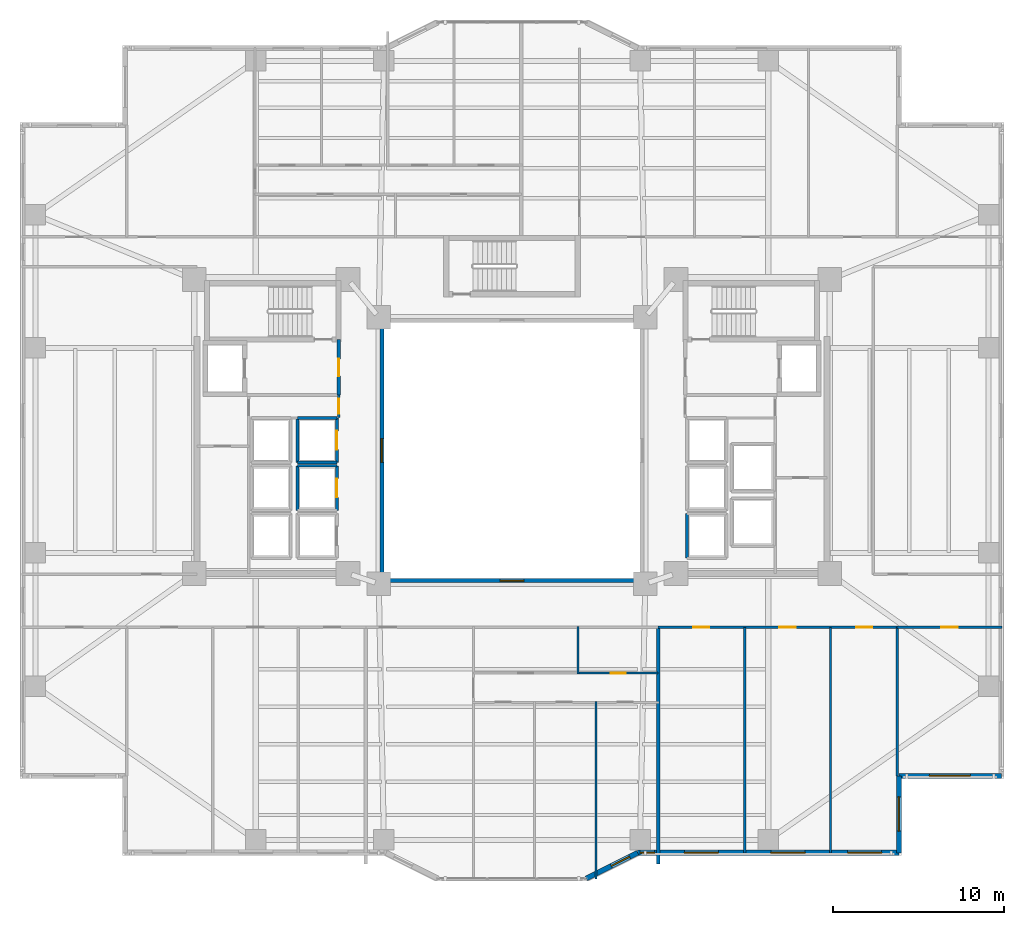
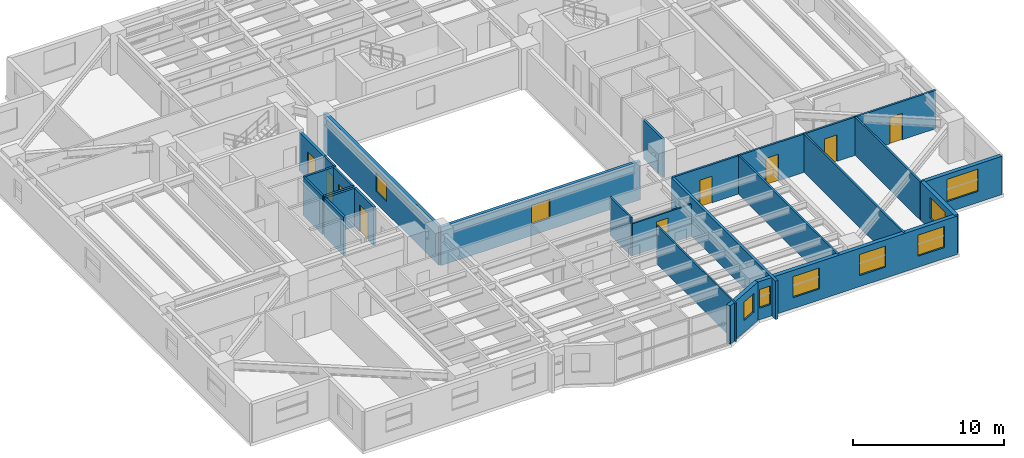
# One storey, part 11 of 19: 25 walls, 9 doors, 9 windows, 18 openings.
"""IFC4 building model written with IfcOpenShell, lengths in metres."""

from ifc_helpers import new_model, si_unit, direction, frame, frame_2d, origin, place, context, subcontext, project, spatial, rectangle, extrude, material, layer, layer_set, type_object, element, fill, save


model = new_model("IFC4")

# Units and contexts
model_context = context("Model", 3, precision=1e-05, world=origin(), true_north=direction((0.0, 1.0)))
body_context = subcontext(model_context, "Body", "Model", "MODEL_VIEW")
ifc_project = project(units=[si_unit("LENGTHUNIT", "METRE"), si_unit("AREAUNIT", "SQUARE_METRE"), si_unit("VOLUMEUNIT", "CUBIC_METRE"), si_unit("PLANEANGLEUNIT", "RADIAN"), si_unit("MASSUNIT", "GRAM", prefix="KILO")], contexts=[model_context])

# Site, building, storey
site_placement = place(None, origin())
site = spatial("IfcSite", under=ifc_project, at=site_placement, CompositionType="ELEMENT")
building_placement = place(site_placement, origin())
building = spatial("IfcBuilding", under=site, at=building_placement, Name="Tarnavaz Court Tower", CompositionType="ELEMENT")
storey_placement = place(building_placement, frame((0.0, 0.0, 50.800048828125)))
storey = spatial("IfcBuildingStorey", under=building, at=storey_placement, Name="L13", CompositionType="ELEMENT", Elevation=50.800048828125)

# Wall, opening, window
ifc_material_1 = material(Name="Precast Concrete C40/50", Category="concrete")
ifc_layer_1 = layer(ifc_material_1, 0.300048828125)
ifc_layer_set_1 = layer_set([ifc_layer_1], Name="Precast Concrete C40/50")
wall_type_1 = type_object("IfcWallType", Name="WL-EXT-300", PredefinedType="SOLIDWALL", material=ifc_layer_set_1)
wall_1_placement = place(storey_placement, frame((28.64990234375, -19.050048828125, 0.0), z_axis=(0.0, 0.0, 1.0), x_axis=(-1.0, 0.0, 0.0)))
wall_1 = element("IfcWall", 1, at=wall_1_placement, inside=storey, type_object=wall_type_1, Name="L13 Exterior Terracotta Facade Wall 13", PredefinedType="SOLIDWALL", context=body_context, shape_type="SweptSolid", body=[
    extrude(rectangle(XDim=6.0, YDim=0.300048828125, at=frame_2d((3.0, 0.0))), origin(), (0.0, 0.0, 1.0), 3.099853515625),
])
opening_1_placement = place(wall_1_placement, frame((1.824951171875, 0.0, 0.89990234375)))
opening_1 = element("IfcOpeningElement", 2, at=opening_1_placement, cuts=wall_1, Name="Opening W06", PredefinedType="OPENING", context=body_context, shape_type="SweptSolid", body=[
    extrude(rectangle(XDim=2.39990234375, YDim=1.800048828125, at=frame_2d((1.199951171875, 0.89990234375))), frame((0.0, 0.159912109375, 0.0), z_axis=(0.0, -1.0, 0.0), x_axis=(1.0, 0.0, 0.0)), (0.0, 0.0, 1.0), 0.320068359375),
])
ifc_material_2 = material(Name="Double-Glazed Solar Low-E Glass", Category="glass")
window_type_1 = type_object("IfcWindowType", Name="WN-APT-2400", PartitioningType="TRIPLE_PANEL_VERTICAL", PredefinedType="WINDOW", material=ifc_material_2)
window_1_placement = place(opening_1_placement, origin())
window_1 = element("IfcWindow", 3, at=window_1_placement, inside=storey, type_object=window_type_1, Name="L13 South-East Corner Reading Room Window", OverallHeight=1.800048828125, OverallWidth=2.39990234375, PartitioningType="SINGLE_PANEL", PredefinedType="WINDOW", context=body_context, shape_type="SweptSolid", body=[
    extrude(rectangle(XDim=2.39990234375, YDim=1.800048828125, at=frame_2d((1.199951171875, 0.89990234375))), frame((0.0, 0.030029296875, 0.0), z_axis=(0.0, -1.0, 0.0), x_axis=(1.0, 0.0, 0.0)), (0.0, 0.0, 1.0), 0.06005859375),
])
fill(opening_1, window_1)

wall_2_placement = place(storey_placement, frame((22.64990234375, -19.050048828125, 0.0), z_axis=(0.0, 0.0, 1.0), x_axis=(0.0, -1.0, 0.0)))
wall_2 = element("IfcWall", 4, at=wall_2_placement, inside=storey, type_object=wall_type_1, Name="L13 Exterior Terracotta Facade Wall 14", PredefinedType="SOLIDWALL", context=body_context, shape_type="SweptSolid", body=[
    extrude(rectangle(XDim=4.5, YDim=0.300048828125, at=frame_2d((2.25, 0.0))), origin(), (0.0, 0.0, 1.0), 3.099853515625),
])
opening_2_placement = place(wall_2_placement, frame((1.232421875, 0.0, 0.89990234375)))
opening_2 = element("IfcOpeningElement", 5, at=opening_2_placement, cuts=wall_2, Name="Opening W08", PredefinedType="OPENING", context=body_context, shape_type="SweptSolid", body=[
    extrude(rectangle(XDim=2.0, YDim=1.699951171875, at=frame_2d((1.0, 0.85009765625))), frame((0.0, 0.159912109375, 0.0), z_axis=(0.0, -1.0, 0.0), x_axis=(1.0, 0.0, 0.0)), (0.0, 0.0, 1.0), 0.320068359375),
])
window_type_2 = type_object("IfcWindowType", Name="WN-APT-2000", PartitioningType="DOUBLE_PANEL_VERTICAL", PredefinedType="WINDOW", material=ifc_material_2)
window_2_placement = place(opening_2_placement, origin())
window_2 = element("IfcWindow", 6, at=window_2_placement, inside=storey, type_object=window_type_2, Name="L13 Resident Focus Seminar Room Window", OverallHeight=1.699951171875, OverallWidth=2.0, PartitioningType="SINGLE_PANEL", PredefinedType="WINDOW", context=body_context, shape_type="SweptSolid", body=[
    extrude(rectangle(XDim=2.0, YDim=1.699951171875, at=frame_2d((1.0, 0.85009765625))), frame((0.0, 0.030029296875, 0.0), z_axis=(0.0, -1.0, 0.0), x_axis=(1.0, 0.0, 0.0)), (0.0, 0.0, 1.0), 0.06005859375),
])
fill(opening_2, window_2)

# Wall, openings, windows
wall_3_placement = place(storey_placement, frame((22.64990234375, -23.550048828125, 0.0), z_axis=(0.0, 0.0, 1.0), x_axis=(-1.0, 0.0, 0.0)))
wall_3 = element("IfcWall", 7, at=wall_3_placement, inside=storey, type_object=wall_type_1, Name="L13 Exterior Terracotta Facade Wall 15", PredefinedType="SOLIDWALL", context=body_context, shape_type="SweptSolid", body=[
    extrude(rectangle(XDim=15.2998046875, YDim=0.300048828125, at=frame_2d((7.64990234375, 0.0))), origin(), (0.0, 0.0, 1.0), 3.099853515625),
])
opening_3_placement = place(wall_3_placement, frame((1.006591796875, 0.0, 0.89990234375)))
opening_3 = element("IfcOpeningElement", 8, at=opening_3_placement, cuts=wall_3, Name="Opening W08", PredefinedType="OPENING", context=body_context, shape_type="SweptSolid", body=[
    extrude(rectangle(XDim=2.0, YDim=1.699951171875, at=frame_2d((1.0, 0.85009765625))), frame((0.0, 0.159912109375, 0.0), z_axis=(0.0, -1.0, 0.0), x_axis=(1.0, 0.0, 0.0)), (0.0, 0.0, 1.0), 0.320068359375),
])
opening_4_placement = place(wall_3_placement, frame((5.49609375, 0.0, 0.89990234375)))
opening_4 = element("IfcOpeningElement", 9, at=opening_4_placement, cuts=wall_3, Name="Opening W08", PredefinedType="OPENING", context=body_context, shape_type="SweptSolid", body=[
    extrude(rectangle(XDim=2.0, YDim=1.699951171875, at=frame_2d((1.0, 0.85009765625))), frame((0.0, 0.159912109375, 0.0), z_axis=(0.0, -1.0, 0.0), x_axis=(1.0, 0.0, 0.0)), (0.0, 0.0, 1.0), 0.320068359375),
])
opening_5_placement = place(wall_3_placement, frame((10.562744140625, 0.0, 0.89990234375)))
opening_5 = element("IfcOpeningElement", 10, at=opening_5_placement, cuts=wall_3, Name="Opening W08", PredefinedType="OPENING", context=body_context, shape_type="SweptSolid", body=[
    extrude(rectangle(XDim=2.0, YDim=1.699951171875, at=frame_2d((1.0, 0.85009765625))), frame((0.0, 0.159912109375, 0.0), z_axis=(0.0, -1.0, 0.0), x_axis=(1.0, 0.0, 0.0)), (0.0, 0.0, 1.0), 0.320068359375),
])
opening_6_placement = place(wall_3_placement, frame((14.30322265625, 0.0, 0.949951171875)))
opening_6 = element("IfcOpeningElement", 11, at=opening_6_placement, cuts=wall_3, Name="Opening W15", PredefinedType="OPENING", context=body_context, shape_type="SweptSolid", body=[
    extrude(rectangle(XDim=0.85009765625, YDim=1.5, at=frame_2d((0.425048828125, 0.75))), frame((0.0, 0.159912109375, 0.0), z_axis=(0.0, -1.0, 0.0), x_axis=(1.0, 0.0, 0.0)), (0.0, 0.0, 1.0), 0.320068359375),
])
window_3_placement = place(opening_3_placement, origin())
window_3 = element("IfcWindow", 12, at=window_3_placement, inside=storey, type_object=window_type_2, Name="L13 Resident Focus Seminar Room Window", OverallHeight=1.699951171875, OverallWidth=2.0, PartitioningType="SINGLE_PANEL", PredefinedType="WINDOW", context=body_context, shape_type="SweptSolid", body=[
    extrude(rectangle(XDim=2.0, YDim=1.699951171875, at=frame_2d((1.0, 0.85009765625))), frame((0.0, 0.030029296875, 0.0), z_axis=(0.0, -1.0, 0.0), x_axis=(1.0, 0.0, 0.0)), (0.0, 0.0, 1.0), 0.06005859375),
])
fill(opening_3, window_3)
window_4_placement = place(opening_4_placement, origin())
window_4 = element("IfcWindow", 13, at=window_4_placement, inside=storey, type_object=window_type_2, Name="L13 Quiet Reading Library Room Window", OverallHeight=1.699951171875, OverallWidth=2.0, PartitioningType="SINGLE_PANEL", PredefinedType="WINDOW", context=body_context, shape_type="SweptSolid", body=[
    extrude(rectangle(XDim=2.0, YDim=1.699951171875, at=frame_2d((1.0, 0.85009765625))), frame((0.0, 0.030029296875, 0.0), z_axis=(0.0, -1.0, 0.0), x_axis=(1.0, 0.0, 0.0)), (0.0, 0.0, 1.0), 0.06005859375),
])
fill(opening_4, window_4)
window_5_placement = place(opening_5_placement, origin())
window_5 = element("IfcWindow", 14, at=window_5_placement, inside=storey, type_object=window_type_2, Name="L13 Resident Co-Working Study Room Window", OverallHeight=1.699951171875, OverallWidth=2.0, PartitioningType="SINGLE_PANEL", PredefinedType="WINDOW", context=body_context, shape_type="SweptSolid", body=[
    extrude(rectangle(XDim=2.0, YDim=1.699951171875, at=frame_2d((1.0, 0.85009765625))), frame((0.0, 0.030029296875, 0.0), z_axis=(0.0, -1.0, 0.0), x_axis=(1.0, 0.0, 0.0)), (0.0, 0.0, 1.0), 0.06005859375),
])
fill(opening_5, window_5)
window_type_3 = type_object("IfcWindowType", Name="WN-APT-850", PartitioningType="SINGLE_PANEL", PredefinedType="WINDOW", material=ifc_material_2)
window_6_placement = place(opening_6_placement, origin())
window_6 = element("IfcWindow", 15, at=window_6_placement, inside=storey, type_object=window_type_3, Name="L13 Flat 02 Bedroom 3 Window", OverallHeight=1.5, OverallWidth=0.85009765625, PartitioningType="SINGLE_PANEL", PredefinedType="WINDOW", context=body_context, shape_type="SweptSolid", body=[
    extrude(rectangle(XDim=0.85009765625, YDim=1.5, at=frame_2d((0.425048828125, 0.75))), frame((0.0, 0.030029296875, 0.0), z_axis=(0.0, -1.0, 0.0), x_axis=(1.0, 0.0, 0.0)), (0.0, 0.0, 1.0), 0.06005859375),
])
fill(opening_6, window_6)

# Wall, opening, window
wall_4_placement = place(storey_placement, frame((7.35009765625, -23.550048828125, 0.0), z_axis=(0.0, 0.0, 1.0), x_axis=(-0.894427191, -0.4472135955, 0.0)))
wall_4 = element("IfcWall", 16, at=wall_4_placement, inside=storey, type_object=wall_type_1, Name="L13 Exterior Terracotta Facade Wall 16", PredefinedType="SOLIDWALL", context=body_context, shape_type="SweptSolid", body=[
    extrude(rectangle(XDim=3.35400390625, YDim=0.300048828125, at=frame_2d((1.677001953125, 0.0))), origin(), (0.0, 0.0, 1.0), 3.099853515625),
])
opening_7_placement = place(wall_4_placement, frame((0.521240234375, 0.0, 0.949951171875)))
opening_7 = element("IfcOpeningElement", 17, at=opening_7_placement, cuts=wall_4, Name="Opening W05", PredefinedType="OPENING", context=body_context, shape_type="SweptSolid", body=[
    extrude(rectangle(XDim=1.199951171875, YDim=1.5, at=frame_2d((0.60009765625, 0.75))), frame((0.0, 0.159912109375, 0.0), z_axis=(0.0, -1.0, 0.0), x_axis=(1.0, 0.0, 0.0)), (0.0, 0.0, 1.0), 0.320068359375),
])
window_type_4 = type_object("IfcWindowType", Name="WN-APT-1200", PartitioningType="SINGLE_PANEL", PredefinedType="WINDOW", material=ifc_material_2)
window_7_placement = place(opening_7_placement, origin())
window_7 = element("IfcWindow", 18, at=window_7_placement, inside=storey, type_object=window_type_4, Name="L13 Flat 02 Bedroom 3 Window", OverallHeight=1.5, OverallWidth=1.199951171875, PartitioningType="SINGLE_PANEL", PredefinedType="WINDOW", context=body_context, shape_type="SweptSolid", body=[
    extrude(rectangle(XDim=1.199951171875, YDim=1.5, at=frame_2d((0.60009765625, 0.75))), frame((0.0, 0.030029296875, 0.0), z_axis=(0.0, -1.0, 0.0), x_axis=(1.0, 0.0, 0.0)), (0.0, 0.0, 1.0), 0.06005859375),
])
fill(opening_7, window_7)

# Wall, openings, doors
ifc_material_3 = material(Name="Gypsum Fire-Board on Acoustic Metal Stud", Category="masonry")
ifc_layer_2 = layer(ifc_material_3, 0.14990234375)
ifc_layer_set_2 = layer_set([ifc_layer_2], Name="Gypsum Fire-Board on Acoustic Metal Stud")
wall_type_2 = type_object("IfcWallType", Name="WL-FIRE-150", PredefinedType="PARTITIONING", material=ifc_layer_set_2)
wall_5_placement = place(storey_placement, frame((8.550048828125, -10.35009765625, 0.0), z_axis=(0.0, 0.0, 1.0), x_axis=(1.0, 0.0, 0.0)))
wall_5 = element("IfcWall", 19, at=wall_5_placement, inside=storey, type_object=wall_type_2, Name="L13 SE Corridor Wall 086", PredefinedType="PARTITIONING", context=body_context, shape_type="SweptSolid", body=[
    extrude(rectangle(XDim=14.0, YDim=0.14990234375, at=frame_2d((7.0, 0.0))), origin(), (0.0, 0.0, 1.0), 3.099853515625),
])
opening_8_placement = place(wall_5_placement, frame((2.055908203125, 0.0, 0.0)))
opening_8 = element("IfcOpeningElement", 20, at=opening_8_placement, cuts=wall_5, Name="Opening D13", PredefinedType="OPENING", context=body_context, shape_type="SweptSolid", body=[
    extrude(rectangle(XDim=0.949951171875, YDim=2.14990234375, at=frame_2d((0.47509765625, 1.074951171875))), frame((0.0, 0.0849609375, 0.0), z_axis=(0.0, -1.0, 0.0), x_axis=(1.0, 0.0, 0.0)), (0.0, 0.0, 1.0), 0.169921875),
])
opening_9_placement = place(wall_5_placement, frame((7.10791015625, 0.0, 0.0)))
opening_9 = element("IfcOpeningElement", 21, at=opening_9_placement, cuts=wall_5, Name="Opening D13", PredefinedType="OPENING", context=body_context, shape_type="SweptSolid", body=[
    extrude(rectangle(XDim=0.949951171875, YDim=2.14990234375, at=frame_2d((0.47509765625, 1.074951171875))), frame((0.0, 0.0849609375, 0.0), z_axis=(0.0, -1.0, 0.0), x_axis=(1.0, 0.0, 0.0)), (0.0, 0.0, 1.0), 0.169921875),
])
opening_10_placement = place(wall_5_placement, frame((11.60205078125, 0.0, 0.0)))
opening_10 = element("IfcOpeningElement", 22, at=opening_10_placement, cuts=wall_5, Name="Opening D13", PredefinedType="OPENING", context=body_context, shape_type="SweptSolid", body=[
    extrude(rectangle(XDim=0.949951171875, YDim=2.14990234375, at=frame_2d((0.47509765625, 1.074951171875))), frame((0.0, 0.0849609375, 0.0), z_axis=(0.0, -1.0, 0.0), x_axis=(1.0, 0.0, 0.0)), (0.0, 0.0, 1.0), 0.169921875),
])
ifc_material_4 = material(Name="Engineered Oak Timber", Category="wood")
door_type_1 = type_object("IfcDoorType", Name="DR-INT-950", OperationType="NOTDEFINED", PredefinedType="DOOR", material=ifc_material_4)
door_1_placement = place(opening_8_placement, origin())
door_1 = element("IfcDoor", 23, at=door_1_placement, inside=storey, type_object=door_type_1, Name="L13 Resident Co-Working Study Room Door", OperationType="SINGLE_SWING_RIGHT", OverallHeight=2.14990234375, OverallWidth=0.949951171875, PredefinedType="DOOR", context=body_context, shape_type="SweptSolid", body=[
    extrude(rectangle(XDim=0.949951171875, YDim=2.14990234375, at=frame_2d((0.47509765625, 1.074951171875))), frame((0.0, 0.02490234375, 0.0), z_axis=(0.0, -1.0, 0.0), x_axis=(1.0, 0.0, 0.0)), (0.0, 0.0, 1.0), 0.050048828125),
])
fill(opening_8, door_1)
door_2_placement = place(opening_9_placement, origin())
door_2 = element("IfcDoor", 24, at=door_2_placement, inside=storey, type_object=door_type_1, Name="L13 Quiet Reading Library Room Door", OperationType="SINGLE_SWING_LEFT", OverallHeight=2.14990234375, OverallWidth=0.949951171875, PredefinedType="DOOR", context=body_context, shape_type="SweptSolid", body=[
    extrude(rectangle(XDim=0.949951171875, YDim=2.14990234375, at=frame_2d((0.47509765625, 1.074951171875))), frame((0.0, 0.02490234375, 0.0), z_axis=(0.0, -1.0, 0.0), x_axis=(1.0, 0.0, 0.0)), (0.0, 0.0, 1.0), 0.050048828125),
])
fill(opening_9, door_2)
door_3_placement = place(opening_10_placement, origin())
door_3 = element("IfcDoor", 25, at=door_3_placement, inside=storey, type_object=door_type_1, Name="L13 Resident Focus Seminar Room Door", OperationType="SINGLE_SWING_RIGHT", OverallHeight=2.14990234375, OverallWidth=0.949951171875, PredefinedType="DOOR", context=body_context, shape_type="SweptSolid", body=[
    extrude(rectangle(XDim=0.949951171875, YDim=2.14990234375, at=frame_2d((0.47509765625, 1.074951171875))), frame((0.0, 0.02490234375, 0.0), z_axis=(0.0, -1.0, 0.0), x_axis=(1.0, 0.0, 0.0)), (0.0, 0.0, 1.0), 0.050048828125),
])
fill(opening_10, door_3)

# Wall, opening, door
wall_6_placement = place(storey_placement, frame((22.550048828125, -10.35009765625, 0.0), z_axis=(0.0, 0.0, 1.0), x_axis=(1.0, 0.0, 0.0)))
wall_6 = element("IfcWall", 26, at=wall_6_placement, inside=storey, type_object=wall_type_2, Name="L13 Interior Partition 123", PredefinedType="PARTITIONING", context=body_context, shape_type="SweptSolid", body=[
    extrude(rectangle(XDim=6.1298828125, YDim=0.14990234375, at=frame_2d((3.06494140625, 0.0))), origin(), (0.0, 0.0, 1.0), 3.099853515625),
])
opening_11_placement = place(wall_6_placement, frame((2.590087890625, 0.0, 0.0)))
opening_11 = element("IfcOpeningElement", 27, at=opening_11_placement, cuts=wall_6, Name="Opening D13", PredefinedType="OPENING", context=body_context, shape_type="SweptSolid", body=[
    extrude(rectangle(XDim=0.949951171875, YDim=2.14990234375, at=frame_2d((0.47509765625, 1.074951171875))), frame((0.0, 0.0849609375, 0.0), z_axis=(0.0, -1.0, 0.0), x_axis=(1.0, 0.0, 0.0)), (0.0, 0.0, 1.0), 0.169921875),
])
door_4_placement = place(opening_11_placement, origin())
door_4 = element("IfcDoor", 28, at=door_4_placement, inside=storey, type_object=door_type_1, Name="L13 SE Reading Room Door", OperationType="SINGLE_SWING_LEFT", OverallHeight=2.14990234375, OverallWidth=0.949951171875, PredefinedType="DOOR", context=body_context, shape_type="SweptSolid", body=[
    extrude(rectangle(XDim=0.949951171875, YDim=2.14990234375, at=frame_2d((0.47509765625, 1.074951171875))), frame((0.0, 0.02490234375, 0.0), z_axis=(0.0, -1.0, 0.0), x_axis=(1.0, 0.0, 0.0)), (0.0, 0.0, 1.0), 0.050048828125),
])
fill(opening_11, door_4)

ifc_material_5 = material(Name="Autoclaved Aerated Concrete Blockwork", Category="masonry")
ifc_layer_3 = layer(ifc_material_5, 0.199951171875)
ifc_layer_set_3 = layer_set([ifc_layer_3], Name="Autoclaved Aerated Concrete Blockwork")
wall_type_3 = type_object("IfcWallType", Name="WL-FIRE-200", PredefinedType="SOLIDWALL", material=ifc_layer_set_3)
wall_7_placement = place(storey_placement, frame((-10.14990234375, 3.25, 0.0), z_axis=(0.0, 0.0, 1.0), x_axis=(0.0, 1.0, 0.0)))
wall_7 = element("IfcWall", 29, at=wall_7_placement, inside=storey, type_object=wall_type_3, Name="L13 West Firefighting Lobby Wall 014", PredefinedType="SOLIDWALL", context=body_context, shape_type="SweptSolid", body=[
    extrude(rectangle(XDim=3.25, YDim=0.199951171875, at=frame_2d((1.625, 0.0))), origin(), (0.0, 0.0, 1.0), 3.099853515625),
])
opening_12_placement = place(wall_7_placement, frame((1.10009765625, 0.0, 0.0)))
opening_12 = element("IfcOpeningElement", 30, at=opening_12_placement, cuts=wall_7, Name="Opening D05", PredefinedType="OPENING", context=body_context, shape_type="SweptSolid", body=[
    extrude(rectangle(XDim=1.02001953125, YDim=2.14990234375, at=frame_2d((0.510009765625, 1.074951171875))), frame((0.0, 0.10986328125, 0.0), z_axis=(0.0, -1.0, 0.0), x_axis=(1.0, 0.0, 0.0)), (0.0, 0.0, 1.0), 0.219970703125),
])
ifc_material_6 = material(Name="Fire-Rated Hardwood Timber Core", Category="wood")
door_type_2 = type_object("IfcDoorType", Name="DR-FD60-1000", OperationType="NOTDEFINED", PredefinedType="DOOR", material=ifc_material_6)
door_5_placement = place(opening_12_placement, origin())
door_5 = element("IfcDoor", 31, at=door_5_placement, inside=storey, type_object=door_type_2, Name="L13 West Firefighting Lobby Door", OperationType="SINGLE_SWING_RIGHT", OverallHeight=2.14990234375, OverallWidth=1.02001953125, PredefinedType="DOOR", context=body_context, shape_type="SweptSolid", body=[
    extrude(rectangle(XDim=1.02001953125, YDim=2.14990234375, at=frame_2d((0.510009765625, 1.074951171875))), frame((0.0, 0.02490234375, 0.0), z_axis=(0.0, -1.0, 0.0), x_axis=(1.0, 0.0, 0.0)), (0.0, 0.0, 1.0), 0.050048828125),
])
fill(opening_12, door_5)

# Wall
wall_8_placement = place(storey_placement, frame((8.550048828125, -24.2041015625, 0.0), z_axis=(0.0, 0.0, 1.0), x_axis=(0.0, 1.0, 0.0)))
element("IfcWall", 32, at=wall_8_placement, inside=storey, type_object=wall_type_3, Name="L13 Party Wall 104", PredefinedType="SOLIDWALL", context=body_context, shape_type="SweptSolid", body=[
    extrude(rectangle(XDim=13.85400390625, YDim=0.199951171875, at=frame_2d((6.927001953125, 0.0))), origin(), (0.0, 0.0, 1.0), 3.099853515625),
])

# Wall, opening, door
ifc_material_7 = material(Name="Moisture-Resistant Gypsum Board Partition", Category="masonry")
ifc_layer_4 = layer(ifc_material_7, 0.1201171875)
ifc_layer_set_4 = layer_set([ifc_layer_4], Name="Moisture-Resistant Gypsum Board Partition")
wall_type_4 = type_object("IfcWallType", Name="WL-PART-120", PredefinedType="PARTITIONING", material=ifc_layer_set_4)
wall_9_placement = place(storey_placement, frame((3.8720703125, -13.030029296875, 0.0), z_axis=(0.0, 0.0, 1.0), x_axis=(1.0, 0.0, 0.0)))
wall_9 = element("IfcWall", 33, at=wall_9_placement, inside=storey, type_object=wall_type_4, Name="L13 Interior Partition 107", PredefinedType="PARTITIONING", context=body_context, shape_type="SweptSolid", body=[
    extrude(rectangle(XDim=4.677978515625, YDim=0.1201171875, at=frame_2d((2.3388671875, 0.0))), origin(), (0.0, 0.0, 1.0), 2.5849609375),
])
opening_13_placement = place(wall_9_placement, frame((1.89892578125, 0.0, 0.0)))
opening_13 = element("IfcOpeningElement", 34, at=opening_13_placement, cuts=wall_9, Name="Opening D14", PredefinedType="OPENING", context=body_context, shape_type="SweptSolid", body=[
    extrude(rectangle(XDim=0.8798828125, YDim=2.10009765625, at=frame_2d((0.43994140625, 1.050048828125))), frame((0.0, 0.070068359375, 0.0), z_axis=(0.0, -1.0, 0.0), x_axis=(1.0, 0.0, 0.0)), (0.0, 0.0, 1.0), 0.14013671875),
])
door_type_3 = type_object("IfcDoorType", Name="DR-INT-900", OperationType="NOTDEFINED", PredefinedType="DOOR", material=ifc_material_4)
door_6_placement = place(opening_13_placement, origin())
door_6 = element("IfcDoor", 35, at=door_6_placement, inside=storey, type_object=door_type_3, Name="L13 Flat 02 Bathroom Door", OperationType="SINGLE_SWING_RIGHT", OverallHeight=2.10009765625, OverallWidth=0.8798828125, PredefinedType="DOOR", context=body_context, shape_type="SweptSolid", body=[
    extrude(rectangle(XDim=0.8798828125, YDim=2.10009765625, at=frame_2d((0.43994140625, 1.050048828125))), frame((0.0, 0.02490234375, 0.0), z_axis=(0.0, -1.0, 0.0), x_axis=(1.0, 0.0, 0.0)), (0.0, 0.0, 1.0), 0.050048828125),
])
fill(opening_13, door_6)

# Walls
wall_10_placement = place(storey_placement, frame((3.8720703125, -13.090087890625, 0.0), z_axis=(0.0, 0.0, 1.0), x_axis=(0.0, 1.0, 0.0)))
element("IfcWall", 36, at=wall_10_placement, inside=storey, type_object=wall_type_4, Name="L13 Interior Partition 109", PredefinedType="PARTITIONING", context=body_context, shape_type="SweptSolid", body=[
    extrude(rectangle(XDim=2.800048828125, YDim=0.1201171875, at=frame_2d((1.39990234375, 0.0))), origin(), (0.0, 0.0, 1.0), 3.099853515625),
])
wall_11_placement = place(storey_placement, frame((4.909912109375, -25.080078125, 0.0), z_axis=(0.0, 0.0, 1.0), x_axis=(0.0, 1.0, 0.0)))
element("IfcWall", 37, at=wall_11_placement, inside=storey, type_object=wall_type_4, Name="L13 Interior Partition 111", PredefinedType="PARTITIONING", context=body_context, shape_type="SweptSolid", body=[
    extrude(rectangle(XDim=10.400146484375, YDim=0.1201171875, at=frame_2d((5.2001953125, 0.0))), origin(), (0.0, 0.0, 1.0), 3.099853515625),
])

# Wall, opening, door
ifc_material_8 = material(Name="Gypsum Plasterboard Acoustic Partition", Category="masonry")
ifc_layer_5 = layer(ifc_material_8, 0.139892578125)
ifc_layer_set_5 = layer_set([ifc_layer_5], Name="Gypsum Plasterboard Acoustic Partition")
wall_type_5 = type_object("IfcWallType", Name="WL-PART-150", PredefinedType="PARTITIONING", material=ifc_layer_set_5)
wall_12_placement = place(storey_placement, frame((-10.14990234375, 1.919921875, 0.0), z_axis=(0.0, 0.0, 1.0), x_axis=(0.0, 1.0, 0.0)))
wall_12 = element("IfcWall", 38, at=wall_12_placement, inside=storey, type_object=wall_type_5, Name="L13 Interior Partition 074", PredefinedType="PARTITIONING", context=body_context, shape_type="SweptSolid", body=[
    extrude(rectangle(XDim=1.330078125, YDim=0.139892578125, at=frame_2d((0.6650390625, 0.0))), origin(), (0.0, 0.0, 1.0), 3.099853515625),
])
opening_14_placement = place(wall_12_placement, frame((0.219970703125, 0.0, 0.0)))
opening_14 = element("IfcOpeningElement", 39, at=opening_14_placement, cuts=wall_12, Name="Opening D09", PredefinedType="OPENING", context=body_context, shape_type="SweptSolid", body=[
    extrude(rectangle(XDim=0.89990234375, YDim=2.080078125, at=frame_2d((0.449951171875, 1.0400390625))), frame((0.0, 0.079833984375, 0.0), z_axis=(0.0, -1.0, 0.0), x_axis=(1.0, 0.0, 0.0)), (0.0, 0.0, 1.0), 0.159912109375),
])
door_type_4 = type_object("IfcDoorType", Name="DR-FD30-900", OperationType="NOTDEFINED", PredefinedType="DOOR", material=ifc_material_6)
door_7_placement = place(opening_14_placement, origin())
door_7 = element("IfcDoor", 40, at=door_7_placement, inside=storey, type_object=door_type_4, Name="L13 West Core Service Lobby Door", OperationType="SINGLE_SWING_LEFT", OverallHeight=2.080078125, OverallWidth=0.89990234375, PredefinedType="DOOR", context=body_context, shape_type="SweptSolid", body=[
    extrude(rectangle(XDim=0.89990234375, YDim=2.080078125, at=frame_2d((0.449951171875, 1.0400390625))), frame((0.0, 0.02490234375, 0.0), z_axis=(0.0, -1.0, 0.0), x_axis=(1.0, 0.0, 0.0)), (0.0, 0.0, 1.0), 0.050048828125),
])
fill(opening_14, door_7)

# Walls
for number, where, z_axis, x_axis, name in (
    (41, (13.6220703125, -23.550048828125, 0.0), (0.0, 0.0, 1.0), (0.0, 1.0, 0.0), "L13 Interior Partition 101"),
    (42, (18.64404296875, -23.550048828125, 0.0), (0.0, 0.0, 1.0), (0.0, 1.0, 0.0), "L13 Interior Partition 102"),
):
    element("IfcWall", number, at=place(storey_placement, frame(where, z_axis=z_axis, x_axis=x_axis)), inside=storey, type_object=wall_type_5, Name=name, PredefinedType="PARTITIONING", context=body_context, shape_type="SweptSolid", body=[
        extrude(rectangle(XDim=13.199951171875, YDim=0.139892578125, at=frame_2d((6.60009765625, 0.0))), origin(), (0.0, 0.0, 1.0), 3.099853515625),
    ])
wall_13_placement = place(storey_placement, frame((22.550048828125, -19.050048828125, 0.0), z_axis=(0.0, 0.0, 1.0), x_axis=(0.0, 1.0, 0.0)))
element("IfcWall", 43, at=wall_13_placement, inside=storey, type_object=wall_type_5, Name="L13 Interior Partition 117", PredefinedType="PARTITIONING", context=body_context, shape_type="SweptSolid", body=[
    extrude(rectangle(XDim=8.699951171875, YDim=0.139892578125, at=frame_2d((4.35009765625, 0.0))), origin(), (0.0, 0.0, 1.0), 3.099853515625),
])
ifc_layer_6 = layer(ifc_material_5, 0.159912109375)
ifc_layer_set_6 = layer_set([ifc_layer_6], Name="Autoclaved Aerated Concrete Blockwork")
wall_type_6 = type_object("IfcWallType", Name="WL-SHAFT-150", PredefinedType="SOLIDWALL", material=ifc_layer_set_6)
wall_14_placement = place(storey_placement, frame((-12.550048828125, -3.5, 0.0), z_axis=(0.0, 0.0, 1.0), x_axis=(0.0, 1.0, 0.0)))
element("IfcWall", 44, at=wall_14_placement, inside=storey, type_object=wall_type_6, Name="L13 Lift PL-L2 Shaft Wall 025", PredefinedType="SOLIDWALL", context=body_context, shape_type="SweptSolid", body=[
    extrude(rectangle(XDim=2.60009765625, YDim=0.159912109375, at=frame_2d((1.300048828125, 0.0))), origin(), (0.0, 0.0, 1.0), 3.099853515625),
])

# Wall, opening, door
wall_15_placement = place(storey_placement, frame((-10.25, -3.5, 0.0), z_axis=(0.0, 0.0, 1.0), x_axis=(0.0, 1.0, 0.0)))
wall_15 = element("IfcWall", 45, at=wall_15_placement, inside=storey, type_object=wall_type_6, Name="L13 Lift PL-L2 Shaft Wall 026", PredefinedType="SOLIDWALL", context=body_context, shape_type="SweptSolid", body=[
    extrude(rectangle(XDim=2.60009765625, YDim=0.159912109375, at=frame_2d((1.300048828125, 0.0))), origin(), (0.0, 0.0, 1.0), 3.099853515625),
])
opening_15_placement = place(wall_15_placement, frame((0.75, 0.0, 0.0)))
opening_15 = element("IfcOpeningElement", 46, at=opening_15_placement, cuts=wall_15, Name="Opening LD1", PredefinedType="OPENING", context=body_context, shape_type="SweptSolid", body=[
    extrude(rectangle(XDim=1.10009765625, YDim=2.14990234375, at=frame_2d((0.550048828125, 1.074951171875))), frame((0.0, 0.08984375, 0.0), z_axis=(0.0, -1.0, 0.0), x_axis=(1.0, 0.0, 0.0)), (0.0, 0.0, 1.0), 0.179931640625),
])
ifc_material_9 = material(Name="Stainless Steel", Category="steel")
door_type_5 = type_object("IfcDoorType", Name="DR-LD-1100", OperationType="NOTDEFINED", PredefinedType="DOOR", material=ifc_material_9)
door_8_placement = place(opening_15_placement, origin())
door_8 = element("IfcDoor", 47, at=door_8_placement, inside=storey, type_object=door_type_5, Name="L13 Lift Landing Door LD-PL-L2", OperationType="SLIDING_TO_LEFT", OverallHeight=2.14990234375, OverallWidth=1.10009765625, PredefinedType="DOOR", context=body_context, shape_type="SweptSolid", body=[
    extrude(rectangle(XDim=1.10009765625, YDim=2.14990234375, at=frame_2d((0.550048828125, 1.074951171875))), frame((0.0, 0.02490234375, 0.0), z_axis=(0.0, -1.0, 0.0), x_axis=(1.0, 0.0, 0.0)), (0.0, 0.0, 1.0), 0.050048828125),
])
fill(opening_15, door_8)

# Walls
wall_16_placement = place(storey_placement, frame((-12.550048828125, -0.89990234375, 0.0), z_axis=(0.0, 0.0, 1.0), x_axis=(1.0, 0.0, 0.0)))
element("IfcWall", 48, at=wall_16_placement, inside=storey, type_object=wall_type_6, Name="L13 Lift PL-L2 Shaft Wall 028", PredefinedType="SOLIDWALL", context=body_context, shape_type="SweptSolid", body=[
    extrude(rectangle(XDim=2.300048828125, YDim=0.159912109375, at=frame_2d((1.14990234375, 0.0))), origin(), (0.0, 0.0, 1.0), 3.099853515625),
])
wall_17_placement = place(storey_placement, frame((-12.550048828125, -0.699951171875, 0.0), z_axis=(0.0, 0.0, 1.0), x_axis=(0.0, 1.0, 0.0)))
element("IfcWall", 49, at=wall_17_placement, inside=storey, type_object=wall_type_6, Name="L13 Lift PL-L3 Shaft Wall 029", PredefinedType="SOLIDWALL", context=body_context, shape_type="SweptSolid", body=[
    extrude(rectangle(XDim=2.599853515625, YDim=0.159912109375, at=frame_2d((1.2998046875, 0.0))), origin(), (0.0, 0.0, 1.0), 3.099853515625),
])

# Wall, opening, door
wall_18_placement = place(storey_placement, frame((-10.25, -0.699951171875, 0.0), z_axis=(0.0, 0.0, 1.0), x_axis=(0.0, 1.0, 0.0)))
wall_18 = element("IfcWall", 50, at=wall_18_placement, inside=storey, type_object=wall_type_6, Name="L13 Lift PL-L3 Shaft Wall 030", PredefinedType="SOLIDWALL", context=body_context, shape_type="SweptSolid", body=[
    extrude(rectangle(XDim=2.599853515625, YDim=0.159912109375, at=frame_2d((1.2998046875, 0.0))), origin(), (0.0, 0.0, 1.0), 3.099853515625),
])
opening_16_placement = place(wall_18_placement, frame((0.75, 0.0, 0.0)))
opening_16 = element("IfcOpeningElement", 51, at=opening_16_placement, cuts=wall_18, Name="Opening LD1", PredefinedType="OPENING", context=body_context, shape_type="SweptSolid", body=[
    extrude(rectangle(XDim=1.10009765625, YDim=2.14990234375, at=frame_2d((0.550048828125, 1.074951171875))), frame((0.0, 0.08984375, 0.0), z_axis=(0.0, -1.0, 0.0), x_axis=(1.0, 0.0, 0.0)), (0.0, 0.0, 1.0), 0.179931640625),
])
door_9_placement = place(opening_16_placement, origin())
door_9 = element("IfcDoor", 52, at=door_9_placement, inside=storey, type_object=door_type_5, Name="L13 Lift Landing Door LD-PL-L3", OperationType="SLIDING_TO_LEFT", OverallHeight=2.14990234375, OverallWidth=1.10009765625, PredefinedType="DOOR", context=body_context, shape_type="SweptSolid", body=[
    extrude(rectangle(XDim=1.10009765625, YDim=2.14990234375, at=frame_2d((0.550048828125, 1.074951171875))), frame((0.0, 0.02490234375, 0.0), z_axis=(0.0, -1.0, 0.0), x_axis=(1.0, 0.0, 0.0)), (0.0, 0.0, 1.0), 0.050048828125),
])
fill(opening_16, door_9)

# Walls
for number, where, z_axis, x_axis, name in (
    (53, (-12.550048828125, -0.699951171875, 0.0), (0.0, 0.0, 1.0), (1.0, 0.0, 0.0), "L13 Lift PL-L3 Shaft Wall 031"),
    (54, (-12.550048828125, 1.89990234375, 0.0), (0.0, 0.0, 1.0), (1.0, 0.0, 0.0), "L13 Lift PL-L3 Shaft Wall 032"),
):
    element("IfcWall", number, at=place(storey_placement, frame(where, z_axis=z_axis, x_axis=x_axis)), inside=storey, type_object=wall_type_6, Name=name, PredefinedType="SOLIDWALL", context=body_context, shape_type="SweptSolid", body=[
        extrude(rectangle(XDim=2.300048828125, YDim=0.159912109375, at=frame_2d((1.14990234375, 0.0))), origin(), (0.0, 0.0, 1.0), 3.099853515625),
    ])
wall_19_placement = place(storey_placement, frame((10.25, -6.300048828125, 0.0), z_axis=(0.0, 0.0, 1.0), x_axis=(0.0, 1.0, 0.0)))
element("IfcWall", 55, at=wall_19_placement, inside=storey, type_object=wall_type_6, Name="L13 Lift PL-M1 Shaft Wall 049", PredefinedType="SOLIDWALL", context=body_context, shape_type="SweptSolid", body=[
    extrude(rectangle(XDim=2.60009765625, YDim=0.159912109375, at=frame_2d((1.300048828125, 0.0))), origin(), (0.0, 0.0, 1.0), 3.099853515625),
])

# Wall, opening, window
ifc_layer_7 = layer(ifc_material_1, 0.239990234375)
ifc_layer_set_7 = layer_set([ifc_layer_7], Name="Precast Concrete C40/50")
wall_type_7 = type_object("IfcWallType", Name="WL-WELL-240", PredefinedType="SOLIDWALL", material=ifc_layer_set_7)
wall_20_placement = place(storey_placement, frame((-7.6201171875, -7.6201171875, 0.0), z_axis=(0.0, 0.0, 1.0), x_axis=(1.0, 0.0, 0.0)))
wall_20 = element("IfcWall", 56, at=wall_20_placement, inside=storey, type_object=wall_type_7, Name="L13 Badgir Light-Well Exterior Wall S", PredefinedType="SOLIDWALL", context=body_context, shape_type="SweptSolid", body=[
    extrude(rectangle(XDim=15.240234375, YDim=0.239990234375, at=frame_2d((7.6201171875, 0.0))), origin(), (0.0, 0.0, 1.0), 3.099853515625),
])
opening_17_placement = place(wall_20_placement, frame((6.919921875, 0.0, 0.949951171875)))
opening_17 = element("IfcOpeningElement", 57, at=opening_17_placement, cuts=wall_20, Name="Opening W13", PredefinedType="OPENING", context=body_context, shape_type="SweptSolid", body=[
    extrude(rectangle(XDim=1.39990234375, YDim=1.5, at=frame_2d((0.699951171875, 0.75))), frame((0.0, 0.1298828125, 0.0), z_axis=(0.0, -1.0, 0.0), x_axis=(1.0, 0.0, 0.0)), (0.0, 0.0, 1.0), 0.260009765625),
])
window_type_5 = type_object("IfcWindowType", Name="WN-WEL-1400", PartitioningType="SINGLE_PANEL", PredefinedType="WINDOW", material=ifc_material_2)
window_8_placement = place(opening_17_placement, origin())
window_8 = element("IfcWindow", 58, at=window_8_placement, inside=storey, type_object=window_type_5, Name="L13 Courtyard Gallery Window S", OverallHeight=1.5, OverallWidth=1.39990234375, PartitioningType="SINGLE_PANEL", PredefinedType="WINDOW", context=body_context, shape_type="SweptSolid", body=[
    extrude(rectangle(XDim=1.39990234375, YDim=1.5, at=frame_2d((0.699951171875, 0.75))), frame((0.0, 0.030029296875, 0.0), z_axis=(0.0, -1.0, 0.0), x_axis=(1.0, 0.0, 0.0)), (0.0, 0.0, 1.0), 0.06005859375),
])
fill(opening_17, window_8)

wall_21_placement = place(storey_placement, frame((-7.6201171875, 7.6201171875, 0.0), z_axis=(0.0, 0.0, 1.0), x_axis=(0.0, -1.0, 0.0)))
wall_21 = element("IfcWall", 59, at=wall_21_placement, inside=storey, type_object=wall_type_7, Name="L13 Badgir Light-Well Exterior Wall W", PredefinedType="SOLIDWALL", context=body_context, shape_type="SweptSolid", body=[
    extrude(rectangle(XDim=15.240234375, YDim=0.239990234375, at=frame_2d((7.6201171875, 0.0))), origin(), (0.0, 0.0, 1.0), 3.099853515625),
])
opening_18_placement = place(wall_21_placement, frame((6.919921875, 0.0, 0.949951171875)))
opening_18 = element("IfcOpeningElement", 60, at=opening_18_placement, cuts=wall_21, Name="Opening W13", PredefinedType="OPENING", context=body_context, shape_type="SweptSolid", body=[
    extrude(rectangle(XDim=1.39990234375, YDim=1.5, at=frame_2d((0.699951171875, 0.75))), frame((0.0, 0.1298828125, 0.0), z_axis=(0.0, -1.0, 0.0), x_axis=(1.0, 0.0, 0.0)), (0.0, 0.0, 1.0), 0.260009765625),
])
window_9_placement = place(opening_18_placement, origin())
window_9 = element("IfcWindow", 61, at=window_9_placement, inside=storey, type_object=window_type_5, Name="L13 Courtyard Gallery Window W", OverallHeight=1.5, OverallWidth=1.39990234375, PartitioningType="SINGLE_PANEL", PredefinedType="WINDOW", context=body_context, shape_type="SweptSolid", body=[
    extrude(rectangle(XDim=1.39990234375, YDim=1.5, at=frame_2d((0.699951171875, 0.75))), frame((0.0, 0.030029296875, 0.0), z_axis=(0.0, -1.0, 0.0), x_axis=(1.0, 0.0, 0.0)), (0.0, 0.0, 1.0), 0.06005859375),
])
fill(opening_18, window_9)

save(model, "model.ifc")
